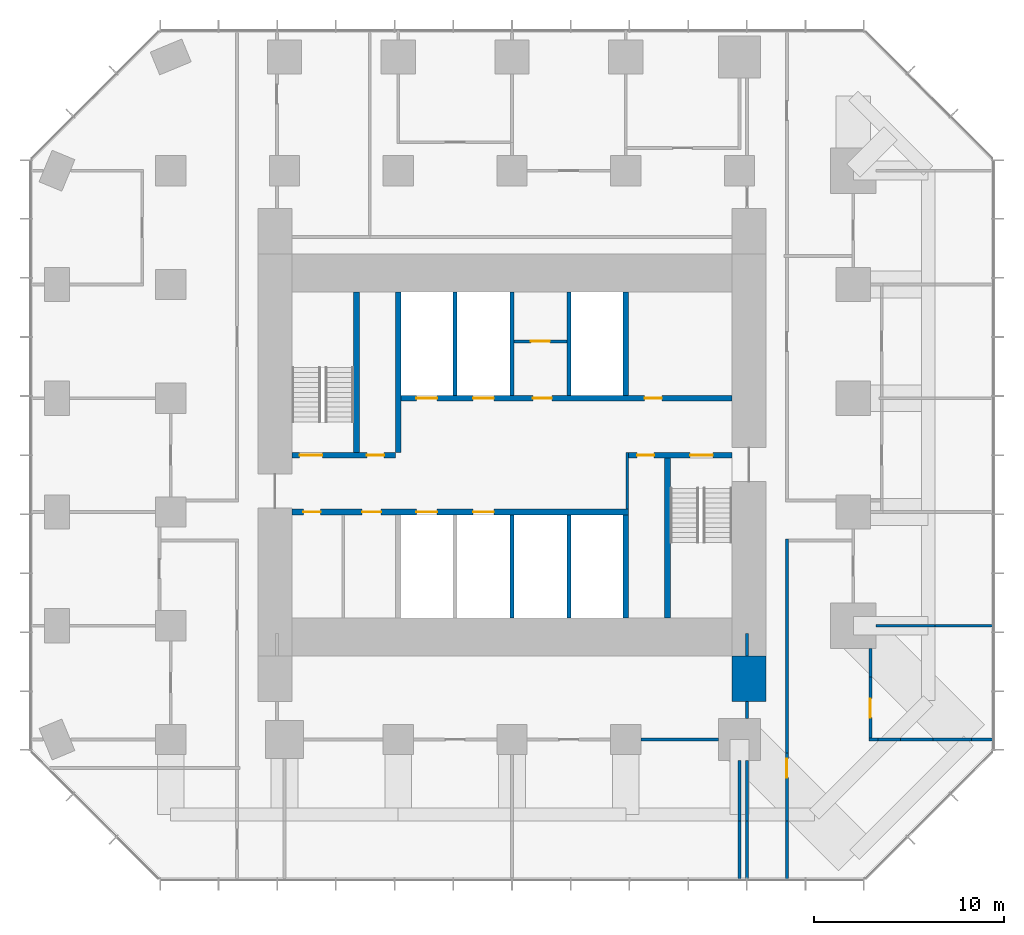
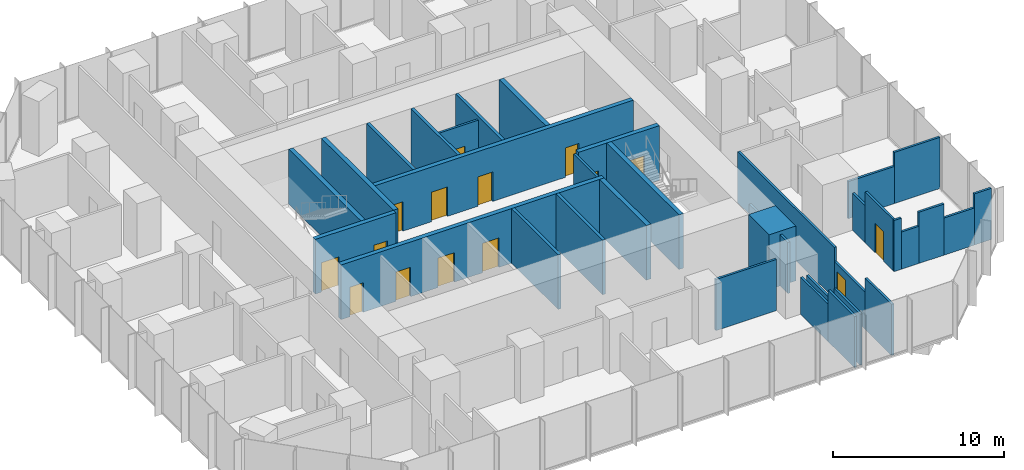
# One storey, part 9 of 12: 36 walls, 15 doors, 15 openings.
"""IFC4 building model written with IfcOpenShell, lengths in metres."""

from ifc_helpers import new_model, si_unit, direction, frame, frame_2d, origin, place, context, subcontext, project, spatial, rectangle, extrude, material, layer, layer_set, type_object, element, fill, save


model = new_model("IFC4")

# Units and contexts
model_context = context("Model", 3, precision=1e-05, world=origin(), true_north=direction((0.0, 1.0)))
body_context = subcontext(model_context, "Body", "Model", "MODEL_VIEW")
ifc_project = project(units=[si_unit("LENGTHUNIT", "METRE"), si_unit("AREAUNIT", "SQUARE_METRE"), si_unit("VOLUMEUNIT", "CUBIC_METRE"), si_unit("PLANEANGLEUNIT", "RADIAN"), si_unit("MASSUNIT", "GRAM", prefix="KILO")], contexts=[model_context])

# Site, building, storey
site_placement = place(None, origin())
site = spatial("IfcSite", under=ifc_project, at=site_placement, CompositionType="ELEMENT")
building_placement = place(site_placement, origin())
building = spatial("IfcBuilding", under=site, at=building_placement, Name="Highveld Stack Headquarters", CompositionType="ELEMENT")
storey_placement = place(building_placement, frame((0.0, 0.0, 156.199951171875)))
storey = spatial("IfcBuildingStorey", under=building, at=storey_placement, Name="L38", CompositionType="ELEMENT", Elevation=156.199951171875)

# Wall, openings, doors
ifc_material_1 = material(Name="Concrete C60/75", Category="concrete")
ifc_layer_1 = layer(ifc_material_1, 0.300048828125)
ifc_layer_set_1 = layer_set([ifc_layer_1], Name="Concrete C60/75")
wall_type_1 = type_object("IfcWallType", Name="CORE WALL 300 C60/75", PredefinedType="SHEAR", material=ifc_layer_set_1)
wall_1_placement = place(storey_placement, frame((-5.60009765625, 0.0, 0.0), z_axis=(0.0, 0.0, 1.0), x_axis=(1.0, 0.0, 0.0)))
wall_1 = element("IfcWall", 1, at=wall_1_placement, inside=storey, type_object=wall_type_1, Name="Core wall I-Y0 L38", PredefinedType="SHEAR", context=body_context, shape_type="SweptSolid", body=[
    extrude(rectangle(XDim=17.75, YDim=0.300048828125, at=frame_2d((8.875, 0.0))), origin(), (0.0, 0.0, 1.0), 3.900146484375),
])
opening_1_placement = place(wall_1_placement, frame((0.60009765625, 0.0, 0.0)))
opening_1 = element("IfcOpeningElement", 2, at=opening_1_placement, cuts=wall_1, Name="Opening L38-07", PredefinedType="OPENING", context=body_context, shape_type="SweptSolid", body=[
    extrude(rectangle(XDim=0.89990234375, YDim=2.10009765625, at=frame_2d((0.449951171875, 1.050048828125))), frame((0.0, 0.159912109375, 0.0), z_axis=(0.0, -1.0, 0.0), x_axis=(1.0, 0.0, 0.0)), (0.0, 0.0, 1.0), 0.320068359375),
])
opening_2_placement = place(wall_1_placement, frame((3.699951171875, 0.0, 0.0)))
opening_2 = element("IfcOpeningElement", 3, at=opening_2_placement, cuts=wall_1, Name="Opening L38-08", PredefinedType="OPENING", context=body_context, shape_type="SweptSolid", body=[
    extrude(rectangle(XDim=1.0, YDim=2.10009765625, at=frame_2d((0.5, 1.050048828125))), frame((0.0, 0.159912109375, 0.0), z_axis=(0.0, -1.0, 0.0), x_axis=(1.0, 0.0, 0.0)), (0.0, 0.0, 1.0), 0.320068359375),
])
opening_3_placement = place(wall_1_placement, frame((6.550048828125, 0.0, 0.0)))
opening_3 = element("IfcOpeningElement", 4, at=opening_3_placement, cuts=wall_1, Name="Opening LD", PredefinedType="OPENING", context=body_context, shape_type="SweptSolid", body=[
    extrude(rectangle(XDim=1.10009765625, YDim=2.10009765625, at=frame_2d((0.550048828125, 1.050048828125))), frame((0.0, 0.159912109375, 0.0), z_axis=(0.0, -1.0, 0.0), x_axis=(1.0, 0.0, 0.0)), (0.0, 0.0, 1.0), 0.320068359375),
])
opening_4_placement = place(wall_1_placement, frame((9.550048828125, 0.0, 0.0)))
opening_4 = element("IfcOpeningElement", 5, at=opening_4_placement, cuts=wall_1, Name="Opening LD", PredefinedType="OPENING", context=body_context, shape_type="SweptSolid", body=[
    extrude(rectangle(XDim=1.10009765625, YDim=2.10009765625, at=frame_2d((0.550048828125, 1.050048828125))), frame((0.0, 0.159912109375, 0.0), z_axis=(0.0, -1.0, 0.0), x_axis=(1.0, 0.0, 0.0)), (0.0, 0.0, 1.0), 0.320068359375),
])
ifc_material_2 = material(Name="Timber door, painted", Category="wood")
door_type_1 = type_object("IfcDoorType", Name="ACCESSIBLE WC DOOR D2 1000x2100", OperationType="SINGLE_SWING_RIGHT", PredefinedType="DOOR", material=ifc_material_2)
door_1_placement = place(opening_2_placement, origin())
door_1 = element("IfcDoor", 6, at=door_1_placement, inside=storey, type_object=door_type_1, Name="Accessible WC door L38", OperationType="SINGLE_SWING_LEFT", OverallHeight=2.10009765625, OverallWidth=1.0, PredefinedType="DOOR", context=body_context, shape_type="SweptSolid", body=[
    extrude(rectangle(XDim=1.0, YDim=2.10009765625, at=frame_2d((0.5, 1.050048828125))), frame((0.0, 0.02490234375, 0.0), z_axis=(0.0, -1.0, 0.0), x_axis=(1.0, 0.0, 0.0)), (0.0, 0.0, 1.0), 0.050048828125),
])
fill(opening_2, door_1)
ifc_material_3 = material(Name="Stainless steel lift landing door", Category="steel")
door_type_2 = type_object("IfcDoorType", Name="LIFT LANDING DOOR LD 1100x2100", OperationType="DOUBLE_DOOR_SLIDING", PredefinedType="USERDEFINED", material=ifc_material_3)
door_2_placement = place(opening_3_placement, origin())
door_2 = element("IfcDoor", 7, at=door_2_placement, inside=storey, type_object=door_type_2, Name="Lift landing door B1 L38", ObjectType="LIFT LANDING DOOR", OperationType="DOUBLE_DOOR_SLIDING", OverallHeight=2.10009765625, OverallWidth=1.10009765625, PredefinedType="USERDEFINED", context=body_context, shape_type="SweptSolid", body=[
    extrude(rectangle(XDim=1.10009765625, YDim=2.10009765625, at=frame_2d((0.550048828125, 1.050048828125))), frame((0.0, 0.02490234375, 0.0), z_axis=(0.0, -1.0, 0.0), x_axis=(1.0, 0.0, 0.0)), (0.0, 0.0, 1.0), 0.050048828125),
])
fill(opening_3, door_2)
door_3_placement = place(opening_4_placement, origin())
door_3 = element("IfcDoor", 8, at=door_3_placement, inside=storey, type_object=door_type_2, Name="Lift landing door B2 L38", ObjectType="LIFT LANDING DOOR", OperationType="DOUBLE_DOOR_SLIDING", OverallHeight=2.10009765625, OverallWidth=1.10009765625, PredefinedType="USERDEFINED", context=body_context, shape_type="SweptSolid", body=[
    extrude(rectangle(XDim=1.10009765625, YDim=2.10009765625, at=frame_2d((0.550048828125, 1.050048828125))), frame((0.0, 0.02490234375, 0.0), z_axis=(0.0, -1.0, 0.0), x_axis=(1.0, 0.0, 0.0)), (0.0, 0.0, 1.0), 0.050048828125),
])
fill(opening_4, door_3)
ifc_material_4 = material(Name="Timber door, painted", Category="wood")
door_type_3 = type_object("IfcDoorType", Name="WC DOOR D1 900x2100", OperationType="SINGLE_SWING_LEFT", PredefinedType="DOOR", material=ifc_material_4)
door_4_placement = place(opening_1_placement, origin())
door_4 = element("IfcDoor", 9, at=door_4_placement, inside=storey, type_object=door_type_3, Name="Female WC door L38", OperationType="SINGLE_SWING_LEFT", OverallHeight=2.10009765625, OverallWidth=0.89990234375, PredefinedType="DOOR", context=body_context, shape_type="SweptSolid", body=[
    extrude(rectangle(XDim=0.89990234375, YDim=2.10009765625, at=frame_2d((0.449951171875, 1.050048828125))), frame((0.0, 0.02490234375, 0.0), z_axis=(0.0, -1.0, 0.0), x_axis=(1.0, 0.0, 0.0)), (0.0, 0.0, 1.0), 0.050048828125),
])
fill(opening_1, door_4)

wall_2_placement = place(storey_placement, frame((-5.60009765625, 3.0, 0.0), z_axis=(0.0, 0.0, 1.0), x_axis=(1.0, 0.0, 0.0)))
wall_2 = element("IfcWall", 10, at=wall_2_placement, inside=storey, type_object=wall_type_1, Name="Core wall I-Y3W L38", PredefinedType="SHEAR", context=body_context, shape_type="SweptSolid", body=[
    extrude(rectangle(XDim=5.4501953125, YDim=0.300048828125, at=frame_2d((2.72509765625, 0.0))), origin(), (0.0, 0.0, 1.0), 3.900146484375),
])
opening_5_placement = place(wall_2_placement, frame((0.39990234375, 0.0, 0.0)))
opening_5 = element("IfcOpeningElement", 11, at=opening_5_placement, cuts=wall_2, Name="Opening L38-03", PredefinedType="OPENING", context=body_context, shape_type="SweptSolid", body=[
    extrude(rectangle(XDim=1.199951171875, YDim=2.10009765625, at=frame_2d((0.60009765625, 1.050048828125))), frame((0.0, 0.159912109375, 0.0), z_axis=(0.0, -1.0, 0.0), x_axis=(1.0, 0.0, 0.0)), (0.0, 0.0, 1.0), 0.320068359375),
])
opening_6_placement = place(wall_2_placement, frame((3.949951171875, 0.0, 0.0)))
opening_6 = element("IfcOpeningElement", 12, at=opening_6_placement, cuts=wall_2, Name="Opening L38-04", PredefinedType="OPENING", context=body_context, shape_type="SweptSolid", body=[
    extrude(rectangle(XDim=0.89990234375, YDim=2.10009765625, at=frame_2d((0.449951171875, 1.050048828125))), frame((0.0, 0.159912109375, 0.0), z_axis=(0.0, -1.0, 0.0), x_axis=(1.0, 0.0, 0.0)), (0.0, 0.0, 1.0), 0.320068359375),
])
ifc_material_5 = material(Name="Steel fire door", Category="steel")
door_type_4 = type_object("IfcDoorType", Name="RISER ACCESS DOOR D5 900x2100", OperationType="SINGLE_SWING_LEFT", PredefinedType="DOOR", material=ifc_material_5)
door_5_placement = place(opening_6_placement, origin())
door_5 = element("IfcDoor", 13, at=door_5_placement, inside=storey, type_object=door_type_4, Name="Riser R1 door L38", OperationType="SINGLE_SWING_RIGHT", OverallHeight=2.10009765625, OverallWidth=0.89990234375, PredefinedType="DOOR", context=body_context, shape_type="SweptSolid", body=[
    extrude(rectangle(XDim=0.89990234375, YDim=2.10009765625, at=frame_2d((0.449951171875, 1.050048828125))), frame((0.0, 0.02490234375, 0.0), z_axis=(0.0, -1.0, 0.0), x_axis=(1.0, 0.0, 0.0)), (0.0, 0.0, 1.0), 0.050048828125),
])
fill(opening_6, door_5)
ifc_material_6 = material(Name="Steel fire door", Category="steel")
door_type_5 = type_object("IfcDoorType", Name="STAIR FIRE DOOR D3 1200x2100", OperationType="SINGLE_SWING_LEFT", PredefinedType="DOOR", material=ifc_material_6)
door_6_placement = place(opening_5_placement, origin())
door_6 = element("IfcDoor", 14, at=door_6_placement, inside=storey, type_object=door_type_5, Name="Stair S1 door L38", OperationType="SINGLE_SWING_LEFT", OverallHeight=2.10009765625, OverallWidth=1.199951171875, PredefinedType="DOOR", context=body_context, shape_type="SweptSolid", body=[
    extrude(rectangle(XDim=1.199951171875, YDim=2.10009765625, at=frame_2d((0.60009765625, 1.050048828125))), frame((0.0, 0.02490234375, 0.0), z_axis=(0.0, -1.0, 0.0), x_axis=(1.0, 0.0, 0.0)), (0.0, 0.0, 1.0), 0.050048828125),
])
fill(opening_5, door_6)

wall_3_placement = place(storey_placement, frame((12.14990234375, 3.0, 0.0), z_axis=(0.0, 0.0, 1.0), x_axis=(1.0, 0.0, 0.0)))
wall_3 = element("IfcWall", 15, at=wall_3_placement, inside=storey, type_object=wall_type_1, Name="Core wall I-Y3E L38", PredefinedType="SHEAR", context=body_context, shape_type="SweptSolid", body=[
    extrude(rectangle(XDim=5.4501953125, YDim=0.300048828125, at=frame_2d((2.72509765625, 0.0))), origin(), (0.0, 0.0, 1.0), 3.900146484375),
])
opening_7_placement = place(wall_3_placement, frame((3.25, 0.0, 0.0)))
opening_7 = element("IfcOpeningElement", 16, at=opening_7_placement, cuts=wall_3, Name="Opening L38-05", PredefinedType="OPENING", context=body_context, shape_type="SweptSolid", body=[
    extrude(rectangle(XDim=1.199951171875, YDim=2.10009765625, at=frame_2d((0.60009765625, 1.050048828125))), frame((0.0, 0.159912109375, 0.0), z_axis=(0.0, -1.0, 0.0), x_axis=(1.0, 0.0, 0.0)), (0.0, 0.0, 1.0), 0.320068359375),
])
opening_8_placement = place(wall_3_placement, frame((0.449951171875, 0.0, 0.0)))
opening_8 = element("IfcOpeningElement", 17, at=opening_8_placement, cuts=wall_3, Name="Opening L38-06", PredefinedType="OPENING", context=body_context, shape_type="SweptSolid", body=[
    extrude(rectangle(XDim=0.89990234375, YDim=2.10009765625, at=frame_2d((0.449951171875, 1.050048828125))), frame((0.0, 0.159912109375, 0.0), z_axis=(0.0, -1.0, 0.0), x_axis=(1.0, 0.0, 0.0)), (0.0, 0.0, 1.0), 0.320068359375),
])
door_7_placement = place(opening_8_placement, origin())
door_7 = element("IfcDoor", 18, at=door_7_placement, inside=storey, type_object=door_type_4, Name="Riser R2 door L38", OperationType="SINGLE_SWING_LEFT", OverallHeight=2.10009765625, OverallWidth=0.89990234375, PredefinedType="DOOR", context=body_context, shape_type="SweptSolid", body=[
    extrude(rectangle(XDim=0.89990234375, YDim=2.10009765625, at=frame_2d((0.449951171875, 1.050048828125))), frame((0.0, 0.02490234375, 0.0), z_axis=(0.0, -1.0, 0.0), x_axis=(1.0, 0.0, 0.0)), (0.0, 0.0, 1.0), 0.050048828125),
])
fill(opening_8, door_7)
door_8_placement = place(opening_7_placement, origin())
door_8 = element("IfcDoor", 19, at=door_8_placement, inside=storey, type_object=door_type_5, Name="Stair S2 door L38", OperationType="SINGLE_SWING_RIGHT", OverallHeight=2.10009765625, OverallWidth=1.199951171875, PredefinedType="DOOR", context=body_context, shape_type="SweptSolid", body=[
    extrude(rectangle(XDim=1.199951171875, YDim=2.10009765625, at=frame_2d((0.60009765625, 1.050048828125))), frame((0.0, 0.02490234375, 0.0), z_axis=(0.0, -1.0, 0.0), x_axis=(1.0, 0.0, 0.0)), (0.0, 0.0, 1.0), 0.050048828125),
])
fill(opening_7, door_8)

wall_4_placement = place(storey_placement, frame((-0.14990234375, 6.0, 0.0), z_axis=(0.0, 0.0, 1.0), x_axis=(1.0, 0.0, 0.0)))
wall_4 = element("IfcWall", 20, at=wall_4_placement, inside=storey, type_object=wall_type_1, Name="Core wall I-Y6 L38", PredefinedType="SHEAR", context=body_context, shape_type="SweptSolid", body=[
    extrude(rectangle(XDim=17.75, YDim=0.300048828125, at=frame_2d((8.875, 0.0))), origin(), (0.0, 0.0, 1.0), 3.900146484375),
])
opening_9_placement = place(wall_4_placement, frame((13.14990234375, 0.0, 0.0)))
opening_9 = element("IfcOpeningElement", 21, at=opening_9_placement, cuts=wall_4, Name="Opening L38-09", PredefinedType="OPENING", context=body_context, shape_type="SweptSolid", body=[
    extrude(rectangle(XDim=0.89990234375, YDim=2.10009765625, at=frame_2d((0.449951171875, 1.050048828125))), frame((0.0, 0.159912109375, 0.0), z_axis=(0.0, -1.0, 0.0), x_axis=(1.0, 0.0, 0.0)), (0.0, 0.0, 1.0), 0.320068359375),
])
opening_10_placement = place(wall_4_placement, frame((7.25, 0.0, 0.0)))
opening_10 = element("IfcOpeningElement", 22, at=opening_10_placement, cuts=wall_4, Name="Opening L38-11", PredefinedType="OPENING", context=body_context, shape_type="SweptSolid", body=[
    extrude(rectangle(XDim=1.0, YDim=2.10009765625, at=frame_2d((0.5, 1.050048828125))), frame((0.0, 0.159912109375, 0.0), z_axis=(0.0, -1.0, 0.0), x_axis=(1.0, 0.0, 0.0)), (0.0, 0.0, 1.0), 0.320068359375),
])
opening_11_placement = place(wall_4_placement, frame((1.10009765625, 0.0, 0.0)))
opening_11 = element("IfcOpeningElement", 23, at=opening_11_placement, cuts=wall_4, Name="Opening LD", PredefinedType="OPENING", context=body_context, shape_type="SweptSolid", body=[
    extrude(rectangle(XDim=1.10009765625, YDim=2.10009765625, at=frame_2d((0.550048828125, 1.050048828125))), frame((0.0, 0.159912109375, 0.0), z_axis=(0.0, -1.0, 0.0), x_axis=(1.0, 0.0, 0.0)), (0.0, 0.0, 1.0), 0.320068359375),
])
opening_12_placement = place(wall_4_placement, frame((4.10009765625, 0.0, 0.0)))
opening_12 = element("IfcOpeningElement", 24, at=opening_12_placement, cuts=wall_4, Name="Opening LD", PredefinedType="OPENING", context=body_context, shape_type="SweptSolid", body=[
    extrude(rectangle(XDim=1.10009765625, YDim=2.10009765625, at=frame_2d((0.550048828125, 1.050048828125))), frame((0.0, 0.159912109375, 0.0), z_axis=(0.0, -1.0, 0.0), x_axis=(1.0, 0.0, 0.0)), (0.0, 0.0, 1.0), 0.320068359375),
])
ifc_material_7 = material(Name="Steel fire door", Category="steel")
door_type_6 = type_object("IfcDoorType", Name="CORE ROOM FIRE DOOR D14 1000x2100", OperationType="SINGLE_SWING_LEFT", PredefinedType="DOOR", material=ifc_material_7)
door_9_placement = place(opening_10_placement, origin())
door_9 = element("IfcDoor", 25, at=door_9_placement, inside=storey, type_object=door_type_6, Name="Capped A 1 door L38", OperationType="SINGLE_SWING_LEFT", OverallHeight=2.10009765625, OverallWidth=1.0, PredefinedType="DOOR", context=body_context, shape_type="SweptSolid", body=[
    extrude(rectangle(XDim=1.0, YDim=2.10009765625, at=frame_2d((0.5, 1.050048828125))), frame((0.0, 0.02490234375, 0.0), z_axis=(0.0, -1.0, 0.0), x_axis=(1.0, 0.0, 0.0)), (0.0, 0.0, 1.0), 0.050048828125),
])
fill(opening_10, door_9)
door_10_placement = place(opening_11_placement, origin())
door_10 = element("IfcDoor", 26, at=door_10_placement, inside=storey, type_object=door_type_2, Name="Lift landing door FF1 L38", ObjectType="LIFT LANDING DOOR", OperationType="DOUBLE_DOOR_SLIDING", OverallHeight=2.10009765625, OverallWidth=1.10009765625, PredefinedType="USERDEFINED", context=body_context, shape_type="SweptSolid", body=[
    extrude(rectangle(XDim=1.10009765625, YDim=2.10009765625, at=frame_2d((0.550048828125, 1.050048828125))), frame((0.0, 0.02490234375, 0.0), z_axis=(0.0, -1.0, 0.0), x_axis=(1.0, 0.0, 0.0)), (0.0, 0.0, 1.0), 0.050048828125),
])
fill(opening_11, door_10)
door_11_placement = place(opening_12_placement, origin())
door_11 = element("IfcDoor", 27, at=door_11_placement, inside=storey, type_object=door_type_2, Name="Lift landing door FF2 L38", ObjectType="LIFT LANDING DOOR", OperationType="DOUBLE_DOOR_SLIDING", OverallHeight=2.10009765625, OverallWidth=1.10009765625, PredefinedType="USERDEFINED", context=body_context, shape_type="SweptSolid", body=[
    extrude(rectangle(XDim=1.10009765625, YDim=2.10009765625, at=frame_2d((0.550048828125, 1.050048828125))), frame((0.0, 0.02490234375, 0.0), z_axis=(0.0, -1.0, 0.0), x_axis=(1.0, 0.0, 0.0)), (0.0, 0.0, 1.0), 0.050048828125),
])
fill(opening_12, door_11)
door_12_placement = place(opening_9_placement, origin())
door_12 = element("IfcDoor", 28, at=door_12_placement, inside=storey, type_object=door_type_3, Name="Male WC door L38", OperationType="SINGLE_SWING_RIGHT", OverallHeight=2.10009765625, OverallWidth=0.89990234375, PredefinedType="DOOR", context=body_context, shape_type="SweptSolid", body=[
    extrude(rectangle(XDim=0.89990234375, YDim=2.10009765625, at=frame_2d((0.449951171875, 1.050048828125))), frame((0.0, 0.02490234375, 0.0), z_axis=(0.0, -1.0, 0.0), x_axis=(1.0, 0.0, 0.0)), (0.0, 0.0, 1.0), 0.050048828125),
])
fill(opening_9, door_12)

# Walls
wall_5_placement = place(storey_placement, frame((0.0, 3.14990234375, 0.0), z_axis=(0.0, 0.0, 1.0), x_axis=(0.0, 1.0, 0.0)))
element("IfcWall", 29, at=wall_5_placement, inside=storey, type_object=wall_type_1, Name="Core wall I-X0N L38", PredefinedType="SHEAR", context=body_context, shape_type="SweptSolid", body=[
    extrude(rectangle(XDim=8.4501953125, YDim=0.300048828125, at=frame_2d((4.22509765625, 0.0))), origin(), (0.0, 0.0, 1.0), 3.900146484375),
])
for number, where, z_axis, x_axis, name in (
    (30, (12.0, -5.60009765625, 0.0), (0.0, 0.0, 1.0), (0.0, 1.0, 0.0), "Core wall I-X12S L38"),
    (31, (12.0, 6.14990234375, 0.0), (0.0, 0.0, 1.0), (0.0, 1.0, 0.0), "Core wall I-X12N L38"),
):
    element("IfcWall", number, at=place(storey_placement, frame(where, z_axis=z_axis, x_axis=x_axis)), inside=storey, type_object=wall_type_1, Name=name, PredefinedType="SHEAR", context=body_context, shape_type="SweptSolid", body=[
        extrude(rectangle(XDim=5.4501953125, YDim=0.300048828125, at=frame_2d((2.72509765625, 0.0))), origin(), (0.0, 0.0, 1.0), 3.900146484375),
    ])
for number, where, z_axis, x_axis, name in (
    (32, (-2.199951171875, 3.14990234375, 0.0), (0.0, 0.0, 1.0), (0.0, 1.0, 0.0), "Core wall I-RW L38"),
    (33, (14.199951171875, -5.60009765625, 0.0), (0.0, 0.0, 1.0), (0.0, 1.0, 0.0), "Core wall I-RE L38"),
):
    element("IfcWall", number, at=place(storey_placement, frame(where, z_axis=z_axis, x_axis=x_axis)), inside=storey, type_object=wall_type_1, Name=name, PredefinedType="SHEAR", context=body_context, shape_type="SweptSolid", body=[
        extrude(rectangle(XDim=8.4501953125, YDim=0.300048828125, at=frame_2d((4.22509765625, 0.0))), origin(), (0.0, 0.0, 1.0), 3.900146484375),
    ])
ifc_material_8 = material(Name="Concrete C60/75", Category="concrete")
ifc_layer_2 = layer(ifc_material_8, 1.800048828125)
ifc_layer_set_2 = layer_set([ifc_layer_2], Name="Concrete C60/75")
wall_type_2 = type_object("IfcWallType", Name="CORE WING WALL 1800 C60/75", PredefinedType="SHEAR", material=ifc_layer_set_2)
wall_6_placement = place(storey_placement, frame((18.5, -10.0, 0.0), z_axis=(0.0, 0.0, 1.0), x_axis=(0.0, 1.0, 0.0)))
element("IfcWall", 34, at=wall_6_placement, inside=storey, type_object=wall_type_2, Name="Core wing wall ES L38", PredefinedType="SHEAR", context=body_context, shape_type="SweptSolid", body=[
    extrude(rectangle(XDim=2.39990234375, YDim=1.800048828125, at=frame_2d((1.199951171875, 0.0))), origin(), (0.0, 0.0, 1.0), 3.900146484375),
])

# Wall, opening, door
ifc_material_9 = material(Name="Concrete blockwork, plastered", Category="masonry")
ifc_layer_3 = layer(ifc_material_9, 0.14990234375)
ifc_layer_set_3 = layer_set([ifc_layer_3], Name="Concrete blockwork, plastered")
wall_type_3 = type_object("IfcWallType", Name="FIRE PARTITION 150 BLOCKWORK", PredefinedType="PARTITIONING", material=ifc_layer_set_3)
wall_7_placement = place(storey_placement, frame((6.10009765625, 9.0, 0.0), z_axis=(0.0, 0.0, 1.0), x_axis=(1.0, 0.0, 0.0)))
wall_7 = element("IfcWall", 35, at=wall_7_placement, inside=storey, type_object=wall_type_3, Name="Core room partition L38", PredefinedType="PARTITIONING", context=body_context, shape_type="SweptSolid", body=[
    extrude(rectangle(XDim=2.7998046875, YDim=0.14990234375, at=frame_2d((1.39990234375, 0.0))), origin(), (0.0, 0.0, 1.0), 3.650146484375),
])
opening_13_placement = place(wall_7_placement, frame((0.89990234375, 0.0, 0.0)))
opening_13 = element("IfcOpeningElement", 36, at=opening_13_placement, cuts=wall_7, Name="Opening L38-10", PredefinedType="OPENING", context=body_context, shape_type="SweptSolid", body=[
    extrude(rectangle(XDim=1.0, YDim=2.10009765625, at=frame_2d((0.5, 1.050048828125))), frame((0.0, 0.0849609375, 0.0), z_axis=(0.0, -1.0, 0.0), x_axis=(1.0, 0.0, 0.0)), (0.0, 0.0, 1.0), 0.169921875),
])
door_13_placement = place(opening_13_placement, origin())
door_13 = element("IfcDoor", 37, at=door_13_placement, inside=storey, type_object=door_type_6, Name="Capped A 2 door L38", OperationType="SINGLE_SWING_RIGHT", OverallHeight=2.10009765625, OverallWidth=1.0, PredefinedType="DOOR", context=body_context, shape_type="SweptSolid", body=[
    extrude(rectangle(XDim=1.0, YDim=2.10009765625, at=frame_2d((0.5, 1.050048828125))), frame((0.0, 0.02490234375, 0.0), z_axis=(0.0, -1.0, 0.0), x_axis=(1.0, 0.0, 0.0)), (0.0, 0.0, 1.0), 0.050048828125),
])
fill(opening_13, door_13)

# Walls
wall_8_placement = place(storey_placement, frame((12.074951171875, 0.14990234375, 0.0), z_axis=(0.0, 0.0, 1.0), x_axis=(0.0, 1.0, 0.0)))
element("IfcWall", 38, at=wall_8_placement, inside=storey, type_object=wall_type_3, Name="Riser R2 enclosure L38", PredefinedType="PARTITIONING", context=body_context, shape_type="SweptSolid", body=[
    extrude(rectangle(XDim=3.0, YDim=0.14990234375, at=frame_2d((1.5, 0.0))), origin(), (0.0, 0.0, 1.0), 3.650146484375),
])
ifc_material_10 = material(Name="Concrete blockwork, fair-faced", Category="masonry")
ifc_layer_4 = layer(ifc_material_10, 0.199951171875)
ifc_layer_set_4 = layer_set([ifc_layer_4], Name="Concrete blockwork, fair-faced")
wall_type_4 = type_object("IfcWallType", Name="LIFT SHAFT ENCLOSURE WALL 200 BLOCKWORK", PredefinedType="SOLIDWALL", material=ifc_layer_set_4)
for number, where, z_axis, x_axis, name in (
    (39, (3.0, 6.14990234375, 0.0), (0.0, 0.0, 1.0), (0.0, 1.0, 0.0), "Lift shaft wall L38"),
    (40, (6.0, 6.14990234375, 0.0), (0.0, 0.0, 1.0), (0.0, 1.0, 0.0), "Lift shaft wall L38"),
    (41, (9.0, 6.14990234375, 0.0), (0.0, 0.0, 1.0), (0.0, 1.0, 0.0), "Lift shaft wall L38"),
    (42, (6.0, -5.60009765625, 0.0), (0.0, 0.0, 1.0), (0.0, 1.0, 0.0), "Lift shaft wall L38"),
    (43, (9.0, -5.60009765625, 0.0), (0.0, 0.0, 1.0), (0.0, 1.0, 0.0), "Lift shaft wall L38"),
):
    element("IfcWall", number, at=place(storey_placement, frame(where, z_axis=z_axis, x_axis=x_axis)), inside=storey, type_object=wall_type_4, Name=name, PredefinedType="SOLIDWALL", context=body_context, shape_type="SweptSolid", body=[
        extrude(rectangle(XDim=5.4501953125, YDim=0.199951171875, at=frame_2d((2.72509765625, 0.0))), origin(), (0.0, 0.0, 1.0), 3.900146484375),
    ])
ifc_material_11 = material(Name="Gypsum plasterboard on steel studs", Category="steel")
ifc_layer_5 = layer(ifc_material_11, 0.14990234375)
ifc_layer_set_5 = layer_set([ifc_layer_5], Name="Gypsum plasterboard on steel studs")
wall_type_5 = type_object("IfcWallType", Name="PARTITION 150 PLASTERBOARD", PredefinedType="PARTITIONING", material=ifc_layer_set_5)
wall_9_placement = place(storey_placement, frame((12.800048828125, -12.0, 0.0), z_axis=(0.0, 0.0, 1.0), x_axis=(1.0, 0.0, 0.0)))
element("IfcWall", 44, at=wall_9_placement, inside=storey, type_object=wall_type_5, Name="Partition Team office L38", PredefinedType="PARTITIONING", context=body_context, shape_type="SweptSolid", body=[
    extrude(rectangle(XDim=4.099853515625, YDim=0.14990234375, at=frame_2d((2.0498046875, 0.0))), origin(), (0.0, 0.0, 1.0), 3.650146484375),
])
wall_10_placement = place(storey_placement, frame((24.824951171875, -12.0, 0.0), z_axis=(0.0, 0.0, 1.0), x_axis=(1.0, 0.0, 0.0)))
element("IfcWall", 45, at=wall_10_placement, inside=storey, type_object=wall_type_5, Name="Partition Interview room L38", PredefinedType="PARTITIONING", context=body_context, shape_type="SweptSolid", body=[
    extrude(rectangle(XDim=0.485107421875, YDim=0.14990234375, at=frame_2d((0.24267578125, 0.0))), origin(), (0.0, 0.0, 1.0), 3.650146484375),
])
wall_11_placement = place(storey_placement, frame((25.31005859375, -12.0, 0.0), z_axis=(0.0, 0.0, 1.0), x_axis=(1.0, 0.0, 0.0)))
element("IfcWall", 46, at=wall_11_placement, inside=storey, type_object=wall_type_5, Name="Partition Interview room L38", PredefinedType="PARTITIONING", context=body_context, shape_type="SweptSolid", body=[
    extrude(rectangle(XDim=1.179931640625, YDim=0.14990234375, at=frame_2d((0.58984375, 0.0))), origin(), (0.0, 0.0, 1.0), 2.650146484375),
])
wall_12_placement = place(storey_placement, frame((26.489990234375, -12.0, 0.0), z_axis=(0.0, 0.0, 1.0), x_axis=(1.0, 0.0, 0.0)))
element("IfcWall", 47, at=wall_12_placement, inside=storey, type_object=wall_type_5, Name="Partition Interview room L38", PredefinedType="PARTITIONING", context=body_context, shape_type="SweptSolid", body=[
    extrude(rectangle(XDim=1.718017578125, YDim=0.14990234375, at=frame_2d((0.85888671875, 0.0))), origin(), (0.0, 0.0, 1.0), 3.650146484375),
])
wall_13_placement = place(storey_placement, frame((28.2080078125, -12.0, 0.0), z_axis=(0.0, 0.0, 1.0), x_axis=(1.0, 0.0, 0.0)))
element("IfcWall", 48, at=wall_13_placement, inside=storey, type_object=wall_type_5, Name="Partition Interview room L38", PredefinedType="PARTITIONING", context=body_context, shape_type="SweptSolid", body=[
    extrude(rectangle(XDim=2.029052734375, YDim=0.14990234375, at=frame_2d((1.0146484375, 0.0))), origin(), (0.0, 0.0, 1.0), 2.650146484375),
])
wall_14_placement = place(storey_placement, frame((30.237060546875, -12.0, 0.0), z_axis=(0.0, 0.0, 1.0), x_axis=(1.0, 0.0, 0.0)))
element("IfcWall", 49, at=wall_14_placement, inside=storey, type_object=wall_type_5, Name="Partition Interview room L38", PredefinedType="PARTITIONING", context=body_context, shape_type="SweptSolid", body=[
    extrude(rectangle(XDim=1.162841796875, YDim=0.14990234375, at=frame_2d((0.58154296875, 0.0))), origin(), (0.0, 0.0, 1.0), 3.650146484375),
])
wall_15_placement = place(storey_placement, frame((25.199951171875, -6.0, 0.0), z_axis=(0.0, 0.0, 1.0), x_axis=(1.0, 0.0, 0.0)))
element("IfcWall", 50, at=wall_15_placement, inside=storey, type_object=wall_type_5, Name="Partition Interview room / Office L38", PredefinedType="PARTITIONING", context=body_context, shape_type="SweptSolid", body=[
    extrude(rectangle(XDim=3.110107421875, YDim=0.14990234375, at=frame_2d((1.55517578125, 0.0))), origin(), (0.0, 0.0, 1.0), 2.650146484375),
])
for number, where, z_axis, x_axis, name in (
    (51, (28.31005859375, -6.0, 0.0), (0.0, 0.0, 1.0), (1.0, 0.0, 0.0), "Partition Interview room / Office L38"),
    (52, (18.0, -19.39990234375, 0.0), (0.0, 0.0, 1.0), (0.0, 1.0, 0.0), "Partition Team office L38"),
):
    element("IfcWall", number, at=place(storey_placement, frame(where, z_axis=z_axis, x_axis=x_axis)), inside=storey, type_object=wall_type_5, Name=name, PredefinedType="PARTITIONING", context=body_context, shape_type="SweptSolid", body=[
        extrude(rectangle(XDim=3.08984375, YDim=0.14990234375, at=frame_2d((1.544921875, 0.0))), origin(), (0.0, 0.0, 1.0), 3.650146484375),
    ])
wall_16_placement = place(storey_placement, frame((18.0, -16.31005859375, 0.0), z_axis=(0.0, 0.0, 1.0), x_axis=(0.0, 1.0, 0.0)))
element("IfcWall", 53, at=wall_16_placement, inside=storey, type_object=wall_type_5, Name="Partition Team office L38", PredefinedType="PARTITIONING", context=body_context, shape_type="SweptSolid", body=[
    extrude(rectangle(XDim=3.2099609375, YDim=0.14990234375, at=frame_2d((1.60498046875, 0.0))), origin(), (0.0, 0.0, 1.0), 2.650146484375),
])

# Wall, opening, door
wall_17_placement = place(storey_placement, frame((24.89990234375, -11.925048828125, 0.0), z_axis=(0.0, 0.0, 1.0), x_axis=(0.0, 1.0, 0.0)))
wall_17 = element("IfcWall", 54, at=wall_17_placement, inside=storey, type_object=wall_type_5, Name="Partition Interview room L38", PredefinedType="PARTITIONING", context=body_context, shape_type="SweptSolid", body=[
    extrude(rectangle(XDim=3.23291015625, YDim=0.14990234375, at=frame_2d((1.616455078125, 0.0))), origin(), (0.0, 0.0, 1.0), 3.650146484375),
])
opening_14_placement = place(wall_17_placement, frame((1.0791015625, 0.0, 0.0)))
opening_14 = element("IfcOpeningElement", 55, at=opening_14_placement, cuts=wall_17, Name="Opening L38-18", PredefinedType="OPENING", context=body_context, shape_type="SweptSolid", body=[
    extrude(rectangle(XDim=1.0, YDim=2.10009765625, at=frame_2d((0.5, 1.050048828125))), frame((0.0, 0.0849609375, 0.0), z_axis=(0.0, -1.0, 0.0), x_axis=(1.0, 0.0, 0.0)), (0.0, 0.0, 1.0), 0.169921875),
])
ifc_material_12 = material(Name="Timber door, oiled ash", Category="wood")
door_type_7 = type_object("IfcDoorType", Name="ROOM DOOR D6 1000x2100", OperationType="SINGLE_SWING_LEFT", PredefinedType="DOOR", material=ifc_material_12)
door_14_placement = place(opening_14_placement, origin())
door_14 = element("IfcDoor", 56, at=door_14_placement, inside=storey, type_object=door_type_7, Name="Interview room door 1 L38", OperationType="SINGLE_SWING_LEFT", OverallHeight=2.10009765625, OverallWidth=1.0, PredefinedType="DOOR", context=body_context, shape_type="SweptSolid", body=[
    extrude(rectangle(XDim=1.0, YDim=2.10009765625, at=frame_2d((0.5, 1.050048828125))), frame((0.0, 0.02490234375, 0.0), z_axis=(0.0, -1.0, 0.0), x_axis=(1.0, 0.0, 0.0)), (0.0, 0.0, 1.0), 0.050048828125),
])
fill(opening_14, door_14)

# Walls
wall_18_placement = place(storey_placement, frame((24.89990234375, -8.692138671875, 0.0), z_axis=(0.0, 0.0, 1.0), x_axis=(0.0, 1.0, 0.0)))
element("IfcWall", 57, at=wall_18_placement, inside=storey, type_object=wall_type_5, Name="Partition Interview room L38", PredefinedType="PARTITIONING", context=body_context, shape_type="SweptSolid", body=[
    extrude(rectangle(XDim=1.4921875, YDim=0.14990234375, at=frame_2d((0.74609375, 0.0))), origin(), (0.0, 0.0, 1.0), 2.650146484375),
])
wall_19_placement = place(storey_placement, frame((18.39990234375, -19.35009765625, 0.0), z_axis=(0.0, 0.0, 1.0), x_axis=(0.0, 1.0, 0.0)))
element("IfcWall", 58, at=wall_19_placement, inside=storey, type_object=wall_type_5, Name="Partition office neighbourhood L38", PredefinedType="PARTITIONING", context=body_context, shape_type="SweptSolid", body=[
    extrude(rectangle(XDim=3.0400390625, YDim=0.14990234375, at=frame_2d((1.52001953125, 0.0))), origin(), (0.0, 0.0, 1.0), 3.650146484375),
])
wall_20_placement = place(storey_placement, frame((18.39990234375, -16.31005859375, 0.0), z_axis=(0.0, 0.0, 1.0), x_axis=(0.0, 1.0, 0.0)))
element("IfcWall", 59, at=wall_20_placement, inside=storey, type_object=wall_type_5, Name="Partition office neighbourhood L38", PredefinedType="PARTITIONING", context=body_context, shape_type="SweptSolid", body=[
    extrude(rectangle(XDim=3.2099609375, YDim=0.14990234375, at=frame_2d((1.60498046875, 0.0))), origin(), (0.0, 0.0, 1.0), 2.650146484375),
])
wall_21_placement = place(storey_placement, frame((18.39990234375, -10.89990234375, 0.0), z_axis=(0.0, 0.0, 1.0), x_axis=(0.0, 1.0, 0.0)))
element("IfcWall", 60, at=wall_21_placement, inside=storey, type_object=wall_type_5, Name="Partition office neighbourhood L38", PredefinedType="PARTITIONING", context=body_context, shape_type="SweptSolid", body=[
    extrude(rectangle(XDim=0.89990234375, YDim=0.14990234375, at=frame_2d((0.449951171875, 0.0))), origin(), (0.0, 0.0, 1.0), 3.650146484375),
])
wall_22_placement = place(storey_placement, frame((18.39990234375, -7.60009765625, 0.0), z_axis=(0.0, 0.0, 1.0), x_axis=(0.0, 1.0, 0.0)))
element("IfcWall", 61, at=wall_22_placement, inside=storey, type_object=wall_type_5, Name="Partition office neighbourhood L38", PredefinedType="PARTITIONING", context=body_context, shape_type="SweptSolid", body=[
    extrude(rectangle(XDim=1.2001953125, YDim=0.14990234375, at=frame_2d((0.60009765625, 0.0))), origin(), (0.0, 0.0, 1.0), 3.650146484375),
])
wall_23_placement = place(storey_placement, frame((20.5, -19.39990234375, 0.0), z_axis=(0.0, 0.0, 1.0), x_axis=(0.0, 1.0, 0.0)))
element("IfcWall", 62, at=wall_23_placement, inside=storey, type_object=wall_type_5, Name="Partition office neighbourhood L38", PredefinedType="PARTITIONING", context=body_context, shape_type="SweptSolid", body=[
    extrude(rectangle(XDim=3.08984375, YDim=0.14990234375, at=frame_2d((1.544921875, 0.0))), origin(), (0.0, 0.0, 1.0), 3.650146484375),
])

# Wall, opening, door
wall_24_placement = place(storey_placement, frame((20.5, -16.31005859375, 0.0), z_axis=(0.0, 0.0, 1.0), x_axis=(0.0, 1.0, 0.0)))
wall_24 = element("IfcWall", 63, at=wall_24_placement, inside=storey, type_object=wall_type_5, Name="Partition office neighbourhood L38", PredefinedType="PARTITIONING", context=body_context, shape_type="SweptSolid", body=[
    extrude(rectangle(XDim=3.60205078125, YDim=0.14990234375, at=frame_2d((1.801025390625, 0.0))), origin(), (0.0, 0.0, 1.0), 2.650146484375),
])
opening_15_placement = place(wall_24_placement, frame((2.302001953125, 0.0, 0.0)))
opening_15 = element("IfcOpeningElement", 64, at=opening_15_placement, cuts=wall_24, Name="Opening L38-27", PredefinedType="OPENING", context=body_context, shape_type="SweptSolid", body=[
    extrude(rectangle(XDim=1.0, YDim=2.10009765625, at=frame_2d((0.5, 1.050048828125))), frame((0.0, 0.0849609375, 0.0), z_axis=(0.0, -1.0, 0.0), x_axis=(1.0, 0.0, 0.0)), (0.0, 0.0, 1.0), 0.169921875),
])
door_15_placement = place(opening_15_placement, origin())
door_15 = element("IfcDoor", 65, at=door_15_placement, inside=storey, type_object=door_type_7, Name="Office neighbourhood door L38", OperationType="SINGLE_SWING_RIGHT", OverallHeight=2.10009765625, OverallWidth=1.0, PredefinedType="DOOR", context=body_context, shape_type="SweptSolid", body=[
    extrude(rectangle(XDim=1.0, YDim=2.10009765625, at=frame_2d((0.5, 1.050048828125))), frame((0.0, 0.02490234375, 0.0), z_axis=(0.0, -1.0, 0.0), x_axis=(1.0, 0.0, 0.0)), (0.0, 0.0, 1.0), 0.050048828125),
])
fill(opening_15, door_15)

# Wall
wall_25_placement = place(storey_placement, frame((20.5, -12.7080078125, 0.0), z_axis=(0.0, 0.0, 1.0), x_axis=(0.0, 1.0, 0.0)))
element("IfcWall", 66, at=wall_25_placement, inside=storey, type_object=wall_type_5, Name="Partition office neighbourhood L38", PredefinedType="PARTITIONING", context=body_context, shape_type="SweptSolid", body=[
    extrude(rectangle(XDim=11.282958984375, YDim=0.14990234375, at=frame_2d((5.6416015625, 0.0))), origin(), (0.0, 0.0, 1.0), 3.650146484375),
])

save(model, "model.ifc")
